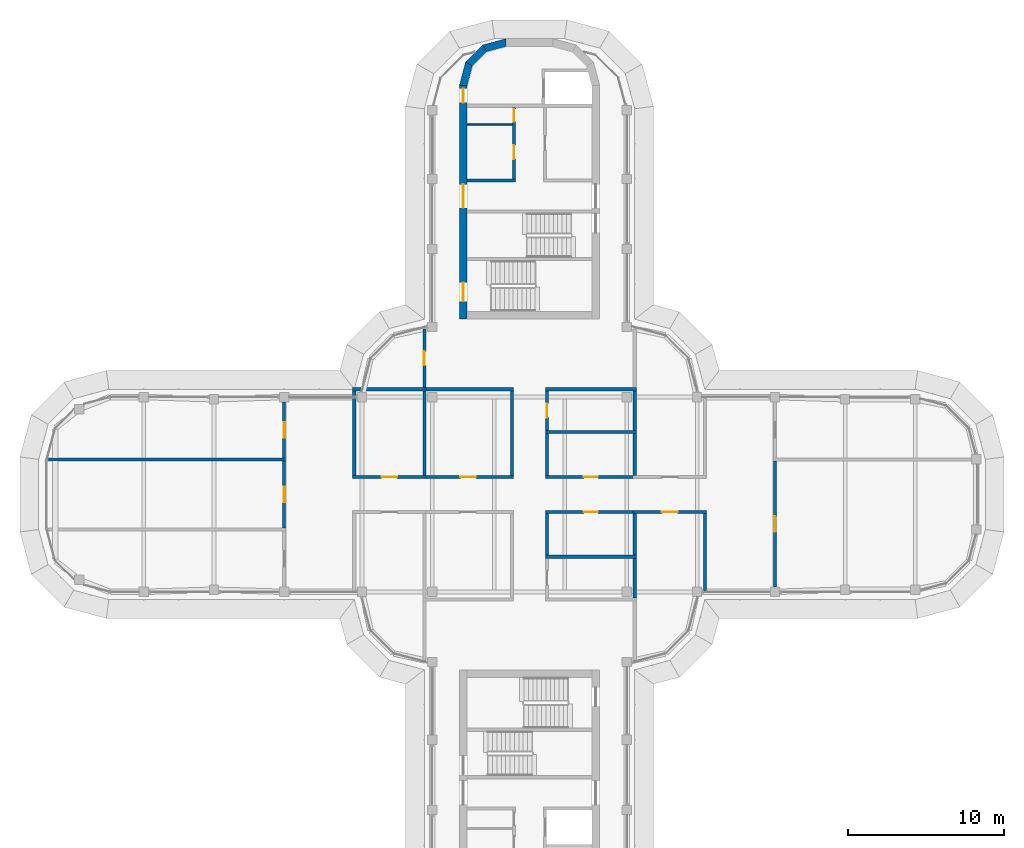
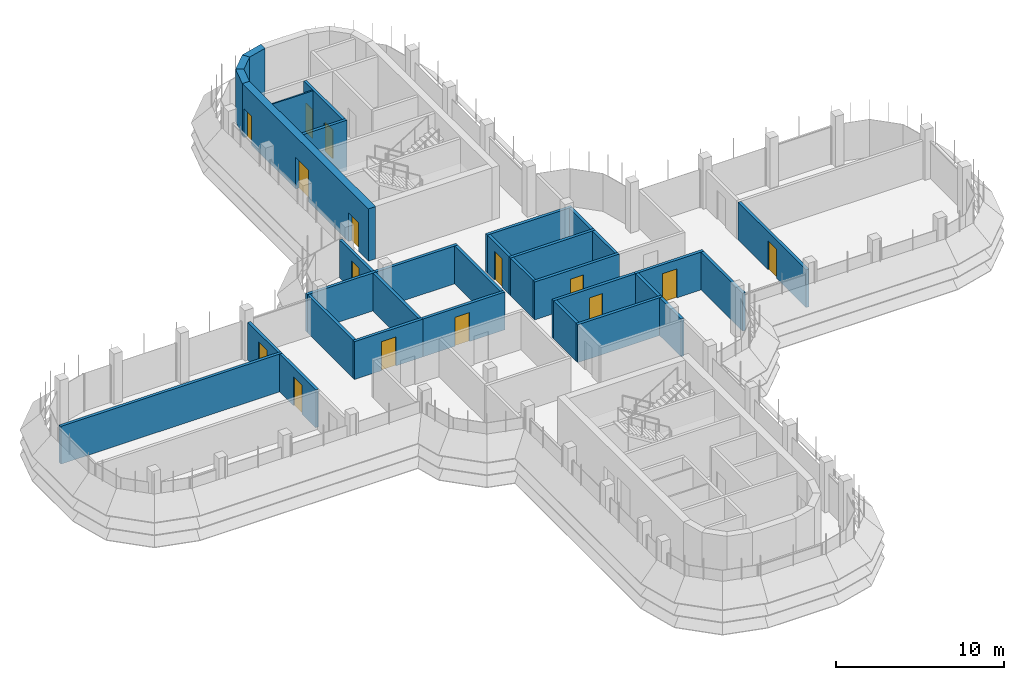
# One storey, part 14 of 19: 33 walls, 15 doors, 15 openings.
"""IFC4 building model written with IfcOpenShell, lengths in metres."""

from ifc_helpers import new_model, si_unit, direction, frame, frame_2d, origin, place, context, subcontext, project, spatial, polyline, rectangle, outline, extrude, material, layer, layer_set, type_object, element, fill, save


model = new_model("IFC4")

# Units and contexts
model_context = context("Model", 3, precision=1e-05, world=origin(), true_north=direction((0.0, 1.0)))
body_context = subcontext(model_context, "Body", "Model", "MODEL_VIEW")
ifc_project = project(units=[si_unit("LENGTHUNIT", "METRE"), si_unit("AREAUNIT", "SQUARE_METRE"), si_unit("VOLUMEUNIT", "CUBIC_METRE"), si_unit("PLANEANGLEUNIT", "RADIAN"), si_unit("MASSUNIT", "GRAM", prefix="KILO")], contexts=[model_context])

# Site, building, storey
site_placement = place(None, origin())
site = spatial("IfcSite", under=ifc_project, at=site_placement, CompositionType="ELEMENT")
building_placement = place(site_placement, origin())
building = spatial("IfcBuilding", under=site, at=building_placement, Name="Zarbagh Exchange Tower", CompositionType="ELEMENT")
storey_placement = place(building_placement, frame((0.0, 0.0, 272.60009765625)))
storey = spatial("IfcBuildingStorey", under=building, at=storey_placement, Name="L67", CompositionType="ELEMENT", Elevation=272.60009765625)

# Wall
ifc_material_1 = material(Name="Dense blockwork", Category="masonry")
ifc_layer_1 = layer(ifc_material_1, 0.10009765625)
ifc_layer_set_1 = layer_set([ifc_layer_1], Name="Core partition 100 mm blockwork")
wall_type_1 = type_object("IfcWallType", Name="Core partition 100 mm blockwork", PredefinedType="PARTITIONING", material=ifc_layer_set_1)
wall_1_placement = place(storey_placement, frame((-4.0, 23.75, 0.0), z_axis=(0.0, 0.0, 1.0), x_axis=(1.0, 0.0, 0.0)))
element("IfcWall", 1, at=wall_1_placement, inside=storey, type_object=wall_type_1, Name="North core partition wall CUT-W-460", PredefinedType="PARTITIONING", context=body_context, shape_type="SweptSolid", body=[
    extrude(rectangle(XDim=2.89990234375, YDim=0.10009765625, at=frame_2d((1.449951171875, 0.0))), origin(), (0.0, 0.0, 1.0), 3.64990234375),
])

# Wall, opening, door
ifc_material_2 = material(Name="Fire-rated plasterboard partition")
ifc_layer_2 = layer(ifc_material_2, 0.199951171875)
ifc_layer_set_2 = layer_set([ifc_layer_2], Name="RATED PARTITION 200")
wall_type_2 = type_object("IfcWallType", Name="RATED PARTITION 200", PredefinedType="PARTITIONING", material=ifc_layer_set_2)
wall_2_placement = place(storey_placement, frame((1.02490234375, 1.125, 0.0), z_axis=(0.0, 0.0, 1.0), x_axis=(1.0, 0.0, 0.0)))
wall_2 = element("IfcWall", 2, at=wall_2_placement, inside=storey, type_object=wall_type_2, Name="Partition W-2801", PredefinedType="PARTITIONING", context=body_context, shape_type="SweptSolid", body=[
    extrude(rectangle(XDim=5.8251953125, YDim=0.199951171875, at=frame_2d((2.91259765625, 0.0))), origin(), (0.0, 0.0, 1.0), 2.75),
])
opening_1_placement = place(wall_2_placement, frame((2.46240234375, 0.0, 0.0)))
opening_1 = element("IfcOpeningElement", 3, at=opening_1_placement, cuts=wall_2, Name="Opening D-2803", PredefinedType="OPENING", context=body_context, shape_type="SweptSolid", body=[
    extrude(rectangle(XDim=0.89990234375, YDim=2.10009765625, at=frame_2d((0.449951171875, 1.050048828125))), frame((0.0, 0.10986328125, 0.0), z_axis=(0.0, -1.0, 0.0), x_axis=(1.0, 0.0, 0.0)), (0.0, 0.0, 1.0), 0.219970703125),
])
ifc_material_3 = material(Name="Timber door leaf", Category="wood")
door_type_1 = type_object("IfcDoorType", Name="DOOR 900 X 2100", OperationType="NOTDEFINED", PredefinedType="DOOR", material=ifc_material_3)
door_1_placement = place(opening_1_placement, origin())
door_1 = element("IfcDoor", 4, at=door_1_placement, inside=storey, type_object=door_type_1, Name="Door D-2803", OperationType="SINGLE_SWING_RIGHT", OverallHeight=2.10009765625, OverallWidth=0.89990234375, PredefinedType="DOOR", context=body_context, shape_type="SweptSolid", body=[
    extrude(rectangle(XDim=0.89990234375, YDim=2.10009765625, at=frame_2d((0.449951171875, 1.050048828125))), frame((0.0, 0.02490234375, 0.0), z_axis=(0.0, -1.0, 0.0), x_axis=(1.0, 0.0, 0.0)), (0.0, 0.0, 1.0), 0.050048828125),
])
fill(opening_1, door_1)

wall_3_placement = place(storey_placement, frame((-6.85009765625, 1.125, 0.0), z_axis=(0.0, 0.0, 1.0), x_axis=(1.0, 0.0, 0.0)))
wall_3 = element("IfcWall", 5, at=wall_3_placement, inside=storey, type_object=wall_type_2, Name="Partition W-2803", PredefinedType="PARTITIONING", context=body_context, shape_type="SweptSolid", body=[
    extrude(rectangle(XDim=5.8251953125, YDim=0.199951171875, at=frame_2d((2.91259765625, 0.0))), origin(), (0.0, 0.0, 1.0), 2.75),
])
opening_2_placement = place(wall_3_placement, frame((2.41259765625, 0.0, 0.0)))
opening_2 = element("IfcOpeningElement", 6, at=opening_2_placement, cuts=wall_3, Name="Opening D-2806", PredefinedType="OPENING", context=body_context, shape_type="SweptSolid", body=[
    extrude(rectangle(XDim=1.0, YDim=2.10009765625, at=frame_2d((0.5, 1.050048828125))), frame((0.0, 0.10986328125, 0.0), z_axis=(0.0, -1.0, 0.0), x_axis=(1.0, 0.0, 0.0)), (0.0, 0.0, 1.0), 0.219970703125),
])
ifc_material_4 = material(Name="Steel door set", Category="steel")
door_type_2 = type_object("IfcDoorType", Name="FIRE DOOR 1000 X 2100 FD30S", OperationType="NOTDEFINED", PredefinedType="DOOR", material=ifc_material_4)
door_2_placement = place(opening_2_placement, origin())
door_2 = element("IfcDoor", 7, at=door_2_placement, inside=storey, type_object=door_type_2, Name="Door D-2806", OperationType="SINGLE_SWING_RIGHT", OverallHeight=2.10009765625, OverallWidth=1.0, PredefinedType="DOOR", context=body_context, shape_type="SweptSolid", body=[
    extrude(rectangle(XDim=1.0, YDim=2.10009765625, at=frame_2d((0.5, 1.050048828125))), frame((0.0, 0.02490234375, 0.0), z_axis=(0.0, -1.0, 0.0), x_axis=(1.0, 0.0, 0.0)), (0.0, 0.0, 1.0), 0.050048828125),
])
fill(opening_2, door_2)

wall_4_placement = place(storey_placement, frame((-11.35009765625, 1.125, 0.0), z_axis=(0.0, 0.0, 1.0), x_axis=(1.0, 0.0, 0.0)))
wall_4 = element("IfcWall", 8, at=wall_4_placement, inside=storey, type_object=wall_type_2, Name="Partition W-2804", PredefinedType="PARTITIONING", context=body_context, shape_type="SweptSolid", body=[
    extrude(rectangle(XDim=4.7001953125, YDim=0.199951171875, at=frame_2d((2.35009765625, 0.0))), origin(), (0.0, 0.0, 1.0), 2.75),
])
opening_3_placement = place(wall_4_placement, frame((1.85009765625, 0.0, 0.0)))
opening_3 = element("IfcOpeningElement", 9, at=opening_3_placement, cuts=wall_4, Name="Opening D-2807", PredefinedType="OPENING", context=body_context, shape_type="SweptSolid", body=[
    extrude(rectangle(XDim=1.0, YDim=2.10009765625, at=frame_2d((0.5, 1.050048828125))), frame((0.0, 0.10986328125, 0.0), z_axis=(0.0, -1.0, 0.0), x_axis=(1.0, 0.0, 0.0)), (0.0, 0.0, 1.0), 0.219970703125),
])
door_3_placement = place(opening_3_placement, origin())
door_3 = element("IfcDoor", 10, at=door_3_placement, inside=storey, type_object=door_type_2, Name="Door D-2807", OperationType="SINGLE_SWING_RIGHT", OverallHeight=2.10009765625, OverallWidth=1.0, PredefinedType="DOOR", context=body_context, shape_type="SweptSolid", body=[
    extrude(rectangle(XDim=1.0, YDim=2.10009765625, at=frame_2d((0.5, 1.050048828125))), frame((0.0, 0.02490234375, 0.0), z_axis=(0.0, -1.0, 0.0), x_axis=(1.0, 0.0, 0.0)), (0.0, 0.0, 1.0), 0.050048828125),
])
fill(opening_3, door_3)

wall_5_placement = place(storey_placement, frame((6.85009765625, -1.125, 0.0), z_axis=(0.0, 0.0, 1.0), x_axis=(-1.0, 0.0, 0.0)))
wall_5 = element("IfcWall", 11, at=wall_5_placement, inside=storey, type_object=wall_type_2, Name="Partition W-2805", PredefinedType="PARTITIONING", context=body_context, shape_type="SweptSolid", body=[
    extrude(rectangle(XDim=5.8251953125, YDim=0.199951171875, at=frame_2d((2.91259765625, 0.0))), origin(), (0.0, 0.0, 1.0), 2.75),
])
opening_4_placement = place(wall_5_placement, frame((2.46240234375, 0.0, 0.0)))
opening_4 = element("IfcOpeningElement", 12, at=opening_4_placement, cuts=wall_5, Name="Opening D-2809", PredefinedType="OPENING", context=body_context, shape_type="SweptSolid", body=[
    extrude(rectangle(XDim=0.89990234375, YDim=2.10009765625, at=frame_2d((0.449951171875, 1.050048828125))), frame((0.0, 0.10986328125, 0.0), z_axis=(0.0, -1.0, 0.0), x_axis=(1.0, 0.0, 0.0)), (0.0, 0.0, 1.0), 0.219970703125),
])
door_4_placement = place(opening_4_placement, origin())
door_4 = element("IfcDoor", 13, at=door_4_placement, inside=storey, type_object=door_type_1, Name="Door D-2809", OperationType="SINGLE_SWING_RIGHT", OverallHeight=2.10009765625, OverallWidth=0.89990234375, PredefinedType="DOOR", context=body_context, shape_type="SweptSolid", body=[
    extrude(rectangle(XDim=0.89990234375, YDim=2.10009765625, at=frame_2d((0.449951171875, 1.050048828125))), frame((0.0, 0.02490234375, 0.0), z_axis=(0.0, -1.0, 0.0), x_axis=(1.0, 0.0, 0.0)), (0.0, 0.0, 1.0), 0.050048828125),
])
fill(opening_4, door_4)

wall_6_placement = place(storey_placement, frame((11.35009765625, -1.125, 0.0), z_axis=(0.0, 0.0, 1.0), x_axis=(-1.0, 0.0, 0.0)))
wall_6 = element("IfcWall", 14, at=wall_6_placement, inside=storey, type_object=wall_type_2, Name="Partition W-2806", PredefinedType="PARTITIONING", context=body_context, shape_type="SweptSolid", body=[
    extrude(rectangle(XDim=4.7001953125, YDim=0.199951171875, at=frame_2d((2.35009765625, 0.0))), origin(), (0.0, 0.0, 1.0), 2.75),
])
opening_5_placement = place(wall_6_placement, frame((1.85009765625, 0.0, 0.0)))
opening_5 = element("IfcOpeningElement", 15, at=opening_5_placement, cuts=wall_6, Name="Opening D-2811", PredefinedType="OPENING", context=body_context, shape_type="SweptSolid", body=[
    extrude(rectangle(XDim=1.0, YDim=2.10009765625, at=frame_2d((0.5, 1.050048828125))), frame((0.0, 0.10986328125, 0.0), z_axis=(0.0, -1.0, 0.0), x_axis=(1.0, 0.0, 0.0)), (0.0, 0.0, 1.0), 0.219970703125),
])
door_5_placement = place(opening_5_placement, origin())
door_5 = element("IfcDoor", 16, at=door_5_placement, inside=storey, type_object=door_type_2, Name="Door D-2811", OperationType="SINGLE_SWING_RIGHT", OverallHeight=2.10009765625, OverallWidth=1.0, PredefinedType="DOOR", context=body_context, shape_type="SweptSolid", body=[
    extrude(rectangle(XDim=1.0, YDim=2.10009765625, at=frame_2d((0.5, 1.050048828125))), frame((0.0, 0.02490234375, 0.0), z_axis=(0.0, -1.0, 0.0), x_axis=(1.0, 0.0, 0.0)), (0.0, 0.0, 1.0), 0.050048828125),
])
fill(opening_5, door_5)

# Wall
wall_7_placement = place(storey_placement, frame((1.125, 1.22509765625, 0.0), z_axis=(0.0, 0.0, 1.0), x_axis=(0.0, 1.0, 0.0)))
element("IfcWall", 17, at=wall_7_placement, inside=storey, type_object=wall_type_2, Name="Partition W-2809", PredefinedType="PARTITIONING", context=body_context, shape_type="SweptSolid", body=[
    extrude(rectangle(XDim=2.6748046875, YDim=0.199951171875, at=frame_2d((1.33740234375, 0.0))), origin(), (0.0, 0.0, 1.0), 2.75),
])

# Wall, opening, door
wall_8_placement = place(storey_placement, frame((1.125, 6.64990234375, 0.0), z_axis=(0.0, 0.0, 1.0), x_axis=(0.0, -1.0, 0.0)))
wall_8 = element("IfcWall", 18, at=wall_8_placement, inside=storey, type_object=wall_type_2, Name="Partition W-2810", PredefinedType="PARTITIONING", context=body_context, shape_type="SweptSolid", body=[
    extrude(rectangle(XDim=2.5498046875, YDim=0.199951171875, at=frame_2d((1.27490234375, 0.0))), origin(), (0.0, 0.0, 1.0), 2.75),
])
opening_6_placement = place(wall_8_placement, frame((0.824951171875, 0.0, 0.0)))
opening_6 = element("IfcOpeningElement", 19, at=opening_6_placement, cuts=wall_8, Name="Opening D-2804", PredefinedType="OPENING", context=body_context, shape_type="SweptSolid", body=[
    extrude(rectangle(XDim=0.89990234375, YDim=2.10009765625, at=frame_2d((0.449951171875, 1.050048828125))), frame((0.0, 0.10986328125, 0.0), z_axis=(0.0, -1.0, 0.0), x_axis=(1.0, 0.0, 0.0)), (0.0, 0.0, 1.0), 0.219970703125),
])
door_6_placement = place(opening_6_placement, origin())
door_6 = element("IfcDoor", 20, at=door_6_placement, inside=storey, type_object=door_type_1, Name="Door D-2804", OperationType="SINGLE_SWING_RIGHT", OverallHeight=2.10009765625, OverallWidth=0.89990234375, PredefinedType="DOOR", context=body_context, shape_type="SweptSolid", body=[
    extrude(rectangle(XDim=0.89990234375, YDim=2.10009765625, at=frame_2d((0.449951171875, 1.050048828125))), frame((0.0, 0.02490234375, 0.0), z_axis=(0.0, -1.0, 0.0), x_axis=(1.0, 0.0, 0.0)), (0.0, 0.0, 1.0), 0.050048828125),
])
fill(opening_6, door_6)

# Walls
wall_9_placement = place(storey_placement, frame((-1.125, 1.22509765625, 0.0), z_axis=(0.0, 0.0, 1.0), x_axis=(0.0, 1.0, 0.0)))
element("IfcWall", 21, at=wall_9_placement, inside=storey, type_object=wall_type_2, Name="Partition W-2811", PredefinedType="PARTITIONING", context=body_context, shape_type="SweptSolid", body=[
    extrude(rectangle(XDim=5.4248046875, YDim=0.199951171875, at=frame_2d((2.71240234375, 0.0))), origin(), (0.0, 0.0, 1.0), 2.75),
])
wall_10_placement = place(storey_placement, frame((1.125, -3.89990234375, 0.0), z_axis=(0.0, 0.0, 1.0), x_axis=(0.0, 1.0, 0.0)))
element("IfcWall", 22, at=wall_10_placement, inside=storey, type_object=wall_type_2, Name="Partition W-2812", PredefinedType="PARTITIONING", context=body_context, shape_type="SweptSolid", body=[
    extrude(rectangle(XDim=2.6748046875, YDim=0.199951171875, at=frame_2d((1.33740234375, 0.0))), origin(), (0.0, 0.0, 1.0), 2.75),
])
for number, where, z_axis, x_axis, name in (
    (23, (1.02490234375, 6.75, 0.0), (0.0, 0.0, 1.0), (1.0, 0.0, 0.0), "Partition W-2815"),
    (24, (-6.85009765625, 6.75, 0.0), (0.0, 0.0, 1.0), (1.0, 0.0, 0.0), "Partition W-2817"),
):
    element("IfcWall", number, at=place(storey_placement, frame(where, z_axis=z_axis, x_axis=x_axis)), inside=storey, type_object=wall_type_2, Name=name, PredefinedType="PARTITIONING", context=body_context, shape_type="SweptSolid", body=[
        extrude(rectangle(XDim=5.8251953125, YDim=0.199951171875, at=frame_2d((2.91259765625, 0.0))), origin(), (0.0, 0.0, 1.0), 2.75),
    ])

# Wall, opening, door
wall_11_placement = place(storey_placement, frame((-6.75, 6.85009765625, 0.0), z_axis=(0.0, 0.0, 1.0), x_axis=(0.0, 1.0, 0.0)))
wall_11 = element("IfcWall", 25, at=wall_11_placement, inside=storey, type_object=wall_type_2, Name="Partition W-2818", PredefinedType="PARTITIONING", context=body_context, shape_type="SweptSolid", body=[
    extrude(rectangle(XDim=3.77978515625, YDim=0.199951171875, at=frame_2d((1.889892578125, 0.0))), origin(), (0.0, 0.0, 1.0), 2.75),
])
opening_7_placement = place(wall_11_placement, frame((1.43994140625, 0.0, 0.0)))
opening_7 = element("IfcOpeningElement", 26, at=opening_7_placement, cuts=wall_11, Name="Opening D-2808", PredefinedType="OPENING", context=body_context, shape_type="SweptSolid", body=[
    extrude(rectangle(XDim=0.89990234375, YDim=2.10009765625, at=frame_2d((0.449951171875, 1.050048828125))), frame((0.0, 0.10986328125, 0.0), z_axis=(0.0, -1.0, 0.0), x_axis=(1.0, 0.0, 0.0)), (0.0, 0.0, 1.0), 0.219970703125),
])
door_7_placement = place(opening_7_placement, origin())
door_7 = element("IfcDoor", 27, at=door_7_placement, inside=storey, type_object=door_type_1, Name="Door D-2808", OperationType="SINGLE_SWING_LEFT", OverallHeight=2.10009765625, OverallWidth=0.89990234375, PredefinedType="DOOR", context=body_context, shape_type="SweptSolid", body=[
    extrude(rectangle(XDim=0.89990234375, YDim=2.10009765625, at=frame_2d((0.449951171875, 1.050048828125))), frame((0.0, 0.02490234375, 0.0), z_axis=(0.0, -1.0, 0.0), x_axis=(1.0, 0.0, 0.0)), (0.0, 0.0, 1.0), 0.050048828125),
])
fill(opening_7, door_7)

# Walls
wall_12_placement = place(storey_placement, frame((1.02490234375, 4.0, 0.0), z_axis=(0.0, 0.0, 1.0), x_axis=(1.0, 0.0, 0.0)))
element("IfcWall", 28, at=wall_12_placement, inside=storey, type_object=wall_type_2, Name="Partition W-2823", PredefinedType="PARTITIONING", context=body_context, shape_type="SweptSolid", body=[
    extrude(rectangle(XDim=5.8251953125, YDim=0.199951171875, at=frame_2d((2.91259765625, 0.0))), origin(), (0.0, 0.0, 1.0), 2.75),
])
wall_13_placement = place(storey_placement, frame((6.75, 1.22509765625, 0.0), z_axis=(0.0, 0.0, 1.0), x_axis=(0.0, 1.0, 0.0)))
element("IfcWall", 29, at=wall_13_placement, inside=storey, type_object=wall_type_2, Name="Partition W-2824", PredefinedType="PARTITIONING", context=body_context, shape_type="SweptSolid", body=[
    extrude(rectangle(XDim=2.6748046875, YDim=0.199951171875, at=frame_2d((1.33740234375, 0.0))), origin(), (0.0, 0.0, 1.0), 2.75),
])
wall_14_placement = place(storey_placement, frame((6.75, 4.10009765625, 0.0), z_axis=(0.0, 0.0, 1.0), x_axis=(0.0, 1.0, 0.0)))
element("IfcWall", 30, at=wall_14_placement, inside=storey, type_object=wall_type_2, Name="Partition W-2825", PredefinedType="PARTITIONING", context=body_context, shape_type="SweptSolid", body=[
    extrude(rectangle(XDim=2.5498046875, YDim=0.199951171875, at=frame_2d((1.27490234375, 0.0))), origin(), (0.0, 0.0, 1.0), 2.75),
])
wall_15_placement = place(storey_placement, frame((-6.75, 1.22509765625, 0.0), z_axis=(0.0, 0.0, 1.0), x_axis=(0.0, 1.0, 0.0)))
element("IfcWall", 31, at=wall_15_placement, inside=storey, type_object=wall_type_2, Name="Partition W-2827", PredefinedType="PARTITIONING", context=body_context, shape_type="SweptSolid", body=[
    extrude(rectangle(XDim=5.4248046875, YDim=0.199951171875, at=frame_2d((2.71240234375, 0.0))), origin(), (0.0, 0.0, 1.0), 2.75),
])
wall_16_placement = place(storey_placement, frame((-11.35009765625, 6.75, 0.0), z_axis=(0.0, 0.0, 1.0), x_axis=(1.0, 0.0, 0.0)))
element("IfcWall", 32, at=wall_16_placement, inside=storey, type_object=wall_type_2, Name="Partition W-2828", PredefinedType="PARTITIONING", context=body_context, shape_type="SweptSolid", body=[
    extrude(rectangle(XDim=4.7001953125, YDim=0.199951171875, at=frame_2d((2.35009765625, 0.0))), origin(), (0.0, 0.0, 1.0), 2.75),
])
wall_17_placement = place(storey_placement, frame((-11.25, 1.22509765625, 0.0), z_axis=(0.0, 0.0, 1.0), x_axis=(0.0, 1.0, 0.0)))
element("IfcWall", 33, at=wall_17_placement, inside=storey, type_object=wall_type_2, Name="Partition W-2829", PredefinedType="PARTITIONING", context=body_context, shape_type="SweptSolid", body=[
    extrude(rectangle(XDim=5.4248046875, YDim=0.199951171875, at=frame_2d((2.71240234375, 0.0))), origin(), (0.0, 0.0, 1.0), 2.75),
])
wall_18_placement = place(storey_placement, frame((1.02490234375, -4.0, 0.0), z_axis=(0.0, 0.0, 1.0), x_axis=(1.0, 0.0, 0.0)))
element("IfcWall", 34, at=wall_18_placement, inside=storey, type_object=wall_type_2, Name="Partition W-2830", PredefinedType="PARTITIONING", context=body_context, shape_type="SweptSolid", body=[
    extrude(rectangle(XDim=5.8251953125, YDim=0.199951171875, at=frame_2d((2.91259765625, 0.0))), origin(), (0.0, 0.0, 1.0), 2.75),
])
wall_19_placement = place(storey_placement, frame((6.75, -3.89990234375, 0.0), z_axis=(0.0, 0.0, 1.0), x_axis=(0.0, 1.0, 0.0)))
element("IfcWall", 35, at=wall_19_placement, inside=storey, type_object=wall_type_2, Name="Partition W-2831", PredefinedType="PARTITIONING", context=body_context, shape_type="SweptSolid", body=[
    extrude(rectangle(XDim=2.6748046875, YDim=0.199951171875, at=frame_2d((1.33740234375, 0.0))), origin(), (0.0, 0.0, 1.0), 2.75),
])
wall_20_placement = place(storey_placement, frame((6.75, -6.64990234375, 0.0), z_axis=(0.0, 0.0, 1.0), x_axis=(0.0, 1.0, 0.0)))
element("IfcWall", 36, at=wall_20_placement, inside=storey, type_object=wall_type_2, Name="Partition W-2832", PredefinedType="PARTITIONING", context=body_context, shape_type="SweptSolid", body=[
    extrude(rectangle(XDim=2.5498046875, YDim=0.199951171875, at=frame_2d((1.27490234375, 0.0))), origin(), (0.0, 0.0, 1.0), 2.75),
])
wall_21_placement = place(storey_placement, frame((11.25, -6.169921875, 0.0), z_axis=(0.0, 0.0, 1.0), x_axis=(0.0, 1.0, 0.0)))
element("IfcWall", 37, at=wall_21_placement, inside=storey, type_object=wall_type_2, Name="Partition W-2833", PredefinedType="PARTITIONING", context=body_context, shape_type="SweptSolid", body=[
    extrude(rectangle(XDim=4.94482421875, YDim=0.199951171875, at=frame_2d((2.472412109375, 0.0))), origin(), (0.0, 0.0, 1.0), 2.75),
])

# Wall, opening, door
wall_22_placement = place(storey_placement, frame((15.75, 2.14990234375, 0.0), z_axis=(0.0, 0.0, 1.0), x_axis=(0.0, -1.0, 0.0)))
wall_22 = element("IfcWall", 38, at=wall_22_placement, inside=storey, type_object=wall_type_2, Name="Partition W-2836", PredefinedType="PARTITIONING", context=body_context, shape_type="SweptSolid", body=[
    extrude(rectangle(XDim=8.099853515625, YDim=0.199951171875, at=frame_2d((4.0498046875, 0.0))), origin(), (0.0, 0.0, 1.0), 2.75),
])
opening_8_placement = place(wall_22_placement, frame((3.550048828125, 0.0, 0.0)))
opening_8 = element("IfcOpeningElement", 39, at=opening_8_placement, cuts=wall_22, Name="Opening D-2801", PredefinedType="OPENING", context=body_context, shape_type="SweptSolid", body=[
    extrude(rectangle(XDim=1.0, YDim=2.10009765625, at=frame_2d((0.5, 1.050048828125))), frame((0.0, 0.10986328125, 0.0), z_axis=(0.0, -1.0, 0.0), x_axis=(1.0, 0.0, 0.0)), (0.0, 0.0, 1.0), 0.219970703125),
])
door_8_placement = place(opening_8_placement, origin())
door_8 = element("IfcDoor", 40, at=door_8_placement, inside=storey, type_object=door_type_2, Name="Door D-2801", OperationType="SINGLE_SWING_RIGHT", OverallHeight=2.10009765625, OverallWidth=1.0, PredefinedType="DOOR", context=body_context, shape_type="SweptSolid", body=[
    extrude(rectangle(XDim=1.0, YDim=2.10009765625, at=frame_2d((0.5, 1.050048828125))), frame((0.0, 0.02490234375, 0.0), z_axis=(0.0, -1.0, 0.0), x_axis=(1.0, 0.0, 0.0)), (0.0, 0.0, 1.0), 0.050048828125),
])
fill(opening_8, door_8)

wall_23_placement = place(storey_placement, frame((-15.75, -2.14990234375, 0.0), z_axis=(0.0, 0.0, 1.0), x_axis=(0.0, 1.0, 0.0)))
wall_23 = element("IfcWall", 41, at=wall_23_placement, inside=storey, type_object=wall_type_2, Name="Partition W-2840", PredefinedType="PARTITIONING", context=body_context, shape_type="SweptSolid", body=[
    extrude(rectangle(XDim=4.2998046875, YDim=0.199951171875, at=frame_2d((2.14990234375, 0.0))), origin(), (0.0, 0.0, 1.0), 2.75),
])
opening_9_placement = place(wall_23_placement, frame((1.64990234375, 0.0, 0.0)))
opening_9 = element("IfcOpeningElement", 42, at=opening_9_placement, cuts=wall_23, Name="Opening D-2815", PredefinedType="OPENING", context=body_context, shape_type="SweptSolid", body=[
    extrude(rectangle(XDim=1.0, YDim=2.10009765625, at=frame_2d((0.5, 1.050048828125))), frame((0.0, 0.10986328125, 0.0), z_axis=(0.0, -1.0, 0.0), x_axis=(1.0, 0.0, 0.0)), (0.0, 0.0, 1.0), 0.219970703125),
])
door_9_placement = place(opening_9_placement, origin())
door_9 = element("IfcDoor", 43, at=door_9_placement, inside=storey, type_object=door_type_2, Name="Door D-2815", OperationType="SINGLE_SWING_RIGHT", OverallHeight=2.10009765625, OverallWidth=1.0, PredefinedType="DOOR", context=body_context, shape_type="SweptSolid", body=[
    extrude(rectangle(XDim=1.0, YDim=2.10009765625, at=frame_2d((0.5, 1.050048828125))), frame((0.0, 0.02490234375, 0.0), z_axis=(0.0, -1.0, 0.0), x_axis=(1.0, 0.0, 0.0)), (0.0, 0.0, 1.0), 0.050048828125),
])
fill(opening_9, door_9)

wall_24_placement = place(storey_placement, frame((-15.75, 2.35009765625, 0.0), z_axis=(0.0, 0.0, 1.0), x_axis=(0.0, 1.0, 0.0)))
wall_24 = element("IfcWall", 44, at=wall_24_placement, inside=storey, type_object=wall_type_2, Name="Partition W-2841", PredefinedType="PARTITIONING", context=body_context, shape_type="SweptSolid", body=[
    extrude(rectangle(XDim=3.599853515625, YDim=0.199951171875, at=frame_2d((1.7998046875, 0.0))), origin(), (0.0, 0.0, 1.0), 2.75),
])
opening_10_placement = place(wall_24_placement, frame((1.300048828125, 0.0, 0.0)))
opening_10 = element("IfcOpeningElement", 45, at=opening_10_placement, cuts=wall_24, Name="Opening D-2816", PredefinedType="OPENING", context=body_context, shape_type="SweptSolid", body=[
    extrude(rectangle(XDim=1.0, YDim=2.10009765625, at=frame_2d((0.5, 1.050048828125))), frame((0.0, 0.10986328125, 0.0), z_axis=(0.0, -1.0, 0.0), x_axis=(1.0, 0.0, 0.0)), (0.0, 0.0, 1.0), 0.219970703125),
])
door_10_placement = place(opening_10_placement, origin())
door_10 = element("IfcDoor", 46, at=door_10_placement, inside=storey, type_object=door_type_2, Name="Door D-2816", OperationType="SINGLE_SWING_RIGHT", OverallHeight=2.10009765625, OverallWidth=1.0, PredefinedType="DOOR", context=body_context, shape_type="SweptSolid", body=[
    extrude(rectangle(XDim=1.0, YDim=2.10009765625, at=frame_2d((0.5, 1.050048828125))), frame((0.0, 0.02490234375, 0.0), z_axis=(0.0, -1.0, 0.0), x_axis=(1.0, 0.0, 0.0)), (0.0, 0.0, 1.0), 0.050048828125),
])
fill(opening_10, door_10)

# Walls
wall_25_placement = place(storey_placement, frame((-30.8798828125, 2.25, 0.0), z_axis=(0.0, 0.0, 1.0), x_axis=(1.0, 0.0, 0.0)))
element("IfcWall", 47, at=wall_25_placement, inside=storey, type_object=wall_type_2, Name="Partition W-2843", PredefinedType="PARTITIONING", context=body_context, shape_type="SweptSolid", body=[
    extrude(rectangle(XDim=15.22998046875, YDim=0.199951171875, at=frame_2d((7.614990234375, 0.0))), origin(), (0.0, 0.0, 1.0), 2.75),
])
ifc_material_5 = material(Name="Concrete C40/50", Category="concrete")
ifc_layer_3 = layer(ifc_material_5, 0.5)
ifc_layer_set_3 = layer_set([ifc_layer_3], Name="RC core corner wall 500 C40/50")
wall_type_3 = type_object("IfcWallType", Name="RC core corner wall 500 C40/50", PredefinedType="SHEAR", material=ifc_layer_set_3)
wall_26_placement = place(storey_placement, origin())
element("IfcWall", 48, at=wall_26_placement, inside=storey, type_object=wall_type_3, Name="CW10 core N corner W", PredefinedType="SHEAR", context=body_context, shape_type="SweptSolid", body=[
    extrude(outline(polyline([(-4.5, 26.25), (-4.09814453125, 27.75), (-3.6650390625, 27.5), (-4.0, 26.25), (-4.5, 26.25)])), origin(), (0.0, 0.0, 1.0), 3.7998046875),
])
wall_27_placement = place(storey_placement, origin())
element("IfcWall", 49, at=wall_27_placement, inside=storey, type_object=wall_type_3, Name="CW10 core N corner W", PredefinedType="SHEAR", context=body_context, shape_type="SweptSolid", body=[
    extrude(outline(polyline([(-4.09814453125, 27.75), (-3.0, 28.84814453125), (-2.75, 28.4150390625), (-3.6650390625, 27.5), (-4.09814453125, 27.75)])), origin(), (0.0, 0.0, 1.0), 3.7998046875),
])
wall_28_placement = place(storey_placement, origin())
element("IfcWall", 50, at=wall_28_placement, inside=storey, type_object=wall_type_3, Name="CW10 core N corner W", PredefinedType="SHEAR", context=body_context, shape_type="SweptSolid", body=[
    extrude(outline(polyline([(-3.0, 28.84814453125), (-1.5, 29.25), (-1.5, 28.75), (-2.75, 28.4150390625), (-3.0, 28.84814453125)])), origin(), (0.0, 0.0, 1.0), 3.7998046875),
])

# Wall, openings, doors
ifc_layer_4 = layer(ifc_material_5, 0.5)
ifc_layer_set_4 = layer_set([ifc_layer_4], Name="RC core wall 500 C40/50")
wall_type_4 = type_object("IfcWallType", Name="RC core wall 500 C40/50", PredefinedType="SHEAR", material=ifc_layer_set_4)
wall_29_placement = place(storey_placement, frame((-4.25, 11.25, 0.0), z_axis=(0.0, 0.0, 1.0), x_axis=(0.0, 1.0, 0.0)))
wall_29 = element("IfcWall", 51, at=wall_29_placement, inside=storey, type_object=wall_type_4, Name="CW9 core N W", PredefinedType="SHEAR", context=body_context, shape_type="SweptSolid", body=[
    extrude(rectangle(XDim=15.0, YDim=0.5, at=frame_2d((7.5, 0.0))), origin(), (0.0, 0.0, 1.0), 3.7998046875),
])
opening_11_placement = place(wall_29_placement, frame((7.14990234375, 0.0, 0.0)))
opening_11 = element("IfcOpeningElement", 52, at=opening_11_placement, cuts=wall_29, Name="Opening CD1-1500", PredefinedType="OPENING", context=body_context, shape_type="SweptSolid", body=[
    extrude(rectangle(XDim=1.5, YDim=2.300048828125, at=frame_2d((0.75, 1.14990234375))), frame((0.0, 0.260009765625, 0.0), z_axis=(0.0, -1.0, 0.0), x_axis=(1.0, 0.0, 0.0)), (0.0, 0.0, 1.0), 0.52001953125),
])
opening_12_placement = place(wall_29_placement, frame((13.89990234375, 0.0, 0.0)))
opening_12 = element("IfcOpeningElement", 53, at=opening_12_placement, cuts=wall_29, Name="Opening CD2-900", PredefinedType="OPENING", context=body_context, shape_type="SweptSolid", body=[
    extrude(rectangle(XDim=0.89990234375, YDim=2.10009765625, at=frame_2d((0.449951171875, 1.050048828125))), frame((0.0, 0.260009765625, 0.0), z_axis=(0.0, -1.0, 0.0), x_axis=(1.0, 0.0, 0.0)), (0.0, 0.0, 1.0), 0.52001953125),
])
opening_13_placement = place(wall_29_placement, frame((1.14990234375, 0.0, 0.0)))
opening_13 = element("IfcOpeningElement", 54, at=opening_13_placement, cuts=wall_29, Name="Opening SD1-1200", PredefinedType="OPENING", context=body_context, shape_type="SweptSolid", body=[
    extrude(rectangle(XDim=1.199951171875, YDim=2.10009765625, at=frame_2d((0.60009765625, 1.050048828125))), frame((0.0, 0.260009765625, 0.0), z_axis=(0.0, -1.0, 0.0), x_axis=(1.0, 0.0, 0.0)), (0.0, 0.0, 1.0), 0.52001953125),
])
ifc_material_6 = material(Name="Steel", Category="steel")
door_type_3 = type_object("IfcDoorType", Name="Exit stair door 1200 x 2100", OperationType="NOTDEFINED", PredefinedType="DOOR", material=ifc_material_6)
door_11_placement = place(opening_13_placement, origin())
door_11 = element("IfcDoor", 55, at=door_11_placement, inside=storey, type_object=door_type_3, Name="North core stair door ST2", OperationType="SINGLE_SWING_LEFT", OverallHeight=2.10009765625, OverallWidth=1.199951171875, PredefinedType="DOOR", context=body_context, shape_type="SweptSolid", body=[
    extrude(rectangle(XDim=1.199951171875, YDim=2.10009765625, at=frame_2d((0.60009765625, 1.050048828125))), frame((0.0, 0.02490234375, 0.0), z_axis=(0.0, -1.0, 0.0), x_axis=(1.0, 0.0, 0.0)), (0.0, 0.0, 1.0), 0.050048828125),
])
fill(opening_13, door_11)
door_type_4 = type_object("IfcDoorType", Name="Firefighting lobby door 900 x 2100", OperationType="NOTDEFINED", PredefinedType="DOOR", material=ifc_material_6)
door_12_placement = place(opening_12_placement, origin())
door_12 = element("IfcDoor", 56, at=door_12_placement, inside=storey, type_object=door_type_4, Name="North core firefighting lobby door FF-W", OperationType="SINGLE_SWING_RIGHT", OverallHeight=2.10009765625, OverallWidth=0.89990234375, PredefinedType="DOOR", context=body_context, shape_type="SweptSolid", body=[
    extrude(rectangle(XDim=0.89990234375, YDim=2.10009765625, at=frame_2d((0.449951171875, 1.050048828125))), frame((0.0, 0.02490234375, 0.0), z_axis=(0.0, -1.0, 0.0), x_axis=(1.0, 0.0, 0.0)), (0.0, 0.0, 1.0), 0.050048828125),
])
fill(opening_12, door_12)
door_type_5 = type_object("IfcDoorType", Name="Lift lobby double door 1500 x 2300", OperationType="NOTDEFINED", PredefinedType="DOOR", material=ifc_material_6)
door_13_placement = place(opening_11_placement, origin())
door_13 = element("IfcDoor", 57, at=door_13_placement, inside=storey, type_object=door_type_5, Name="North core lift lobby door LOBBY-W", OperationType="DOUBLE_DOOR_SINGLE_SWING", OverallHeight=2.300048828125, OverallWidth=1.5, PredefinedType="DOOR", context=body_context, shape_type="SweptSolid", body=[
    extrude(rectangle(XDim=1.5, YDim=2.300048828125, at=frame_2d((0.75, 1.14990234375))), frame((0.0, 0.02490234375, 0.0), z_axis=(0.0, -1.0, 0.0), x_axis=(1.0, 0.0, 0.0)), (0.0, 0.0, 1.0), 0.050048828125),
])
fill(opening_11, door_13)

# Wall
ifc_layer_5 = layer(ifc_material_1, 0.199951171875)
ifc_layer_set_5 = layer_set([ifc_layer_5], Name="Shaft wall 200 mm blockwork")
wall_type_5 = type_object("IfcWallType", Name="Shaft wall 200 mm blockwork", PredefinedType="PARTITIONING", material=ifc_layer_set_5)
wall_30_placement = place(storey_placement, frame((-4.0, 20.14990234375, 0.0), z_axis=(0.0, 0.0, 1.0), x_axis=(1.0, 0.0, 0.0)))
element("IfcWall", 58, at=wall_30_placement, inside=storey, type_object=wall_type_5, Name="North core shaft wall AB-W", PredefinedType="PARTITIONING", context=body_context, shape_type="SweptSolid", body=[
    extrude(rectangle(XDim=3.10009765625, YDim=0.199951171875, at=frame_2d((1.550048828125, 0.0))), origin(), (0.0, 0.0, 1.0), 3.64990234375),
])

# Wall, openings, doors
wall_31_placement = place(storey_placement, frame((-1.0, 24.85009765625, 0.0), z_axis=(0.0, 0.0, 1.0), x_axis=(0.0, -1.0, 0.0)))
wall_31 = element("IfcWall", 59, at=wall_31_placement, inside=storey, type_object=wall_type_5, Name="North core shaft wall LW-W", PredefinedType="PARTITIONING", context=body_context, shape_type="SweptSolid", body=[
    extrude(rectangle(XDim=4.60009765625, YDim=0.199951171875, at=frame_2d((2.300048828125, 0.0))), origin(), (0.0, 0.0, 1.0), 3.64990234375),
])
opening_14_placement = place(wall_31_placement, frame((0.125, 0.0, 0.0)))
opening_14 = element("IfcOpeningElement", 60, at=opening_14_placement, cuts=wall_31, Name="Opening CD3-800", PredefinedType="OPENING", context=body_context, shape_type="SweptSolid", body=[
    extrude(rectangle(XDim=0.800048828125, YDim=2.10009765625, at=frame_2d((0.39990234375, 1.050048828125))), frame((0.0, 0.10986328125, 0.0), z_axis=(0.0, -1.0, 0.0), x_axis=(1.0, 0.0, 0.0)), (0.0, 0.0, 1.0), 0.219970703125),
])
opening_15_placement = place(wall_31_placement, frame((2.425048828125, 0.0, 0.0)))
opening_15 = element("IfcOpeningElement", 61, at=opening_15_placement, cuts=wall_31, Name="Opening CD3-900", PredefinedType="OPENING", context=body_context, shape_type="SweptSolid", body=[
    extrude(rectangle(XDim=0.89990234375, YDim=2.10009765625, at=frame_2d((0.449951171875, 1.050048828125))), frame((0.0, 0.10986328125, 0.0), z_axis=(0.0, -1.0, 0.0), x_axis=(1.0, 0.0, 0.0)), (0.0, 0.0, 1.0), 0.219970703125),
])
door_type_6 = type_object("IfcDoorType", Name="Core room door 800 x 2100", OperationType="NOTDEFINED", PredefinedType="DOOR", material=ifc_material_6)
door_14_placement = place(opening_14_placement, origin())
door_14 = element("IfcDoor", 62, at=door_14_placement, inside=storey, type_object=door_type_6, Name="North core Store door RD-W-0", OperationType="SINGLE_SWING_LEFT", OverallHeight=2.10009765625, OverallWidth=0.800048828125, PredefinedType="DOOR", context=body_context, shape_type="SweptSolid", body=[
    extrude(rectangle(XDim=0.800048828125, YDim=2.10009765625, at=frame_2d((0.39990234375, 1.050048828125))), frame((0.0, 0.02490234375, 0.0), z_axis=(0.0, -1.0, 0.0), x_axis=(1.0, 0.0, 0.0)), (0.0, 0.0, 1.0), 0.050048828125),
])
fill(opening_14, door_14)
door_type_7 = type_object("IfcDoorType", Name="Core room door 900 x 2100", OperationType="NOTDEFINED", PredefinedType="DOOR", material=ifc_material_6)
door_15_placement = place(opening_15_placement, origin())
door_15 = element("IfcDoor", 63, at=door_15_placement, inside=storey, type_object=door_type_7, Name="North core Accessible WC door RD-W-1", OperationType="SINGLE_SWING_RIGHT", OverallHeight=2.10009765625, OverallWidth=0.89990234375, PredefinedType="DOOR", context=body_context, shape_type="SweptSolid", body=[
    extrude(rectangle(XDim=0.89990234375, YDim=2.10009765625, at=frame_2d((0.449951171875, 1.050048828125))), frame((0.0, 0.02490234375, 0.0), z_axis=(0.0, -1.0, 0.0), x_axis=(1.0, 0.0, 0.0)), (0.0, 0.0, 1.0), 0.050048828125),
])
fill(opening_15, door_15)

save(model, "model.ifc")
